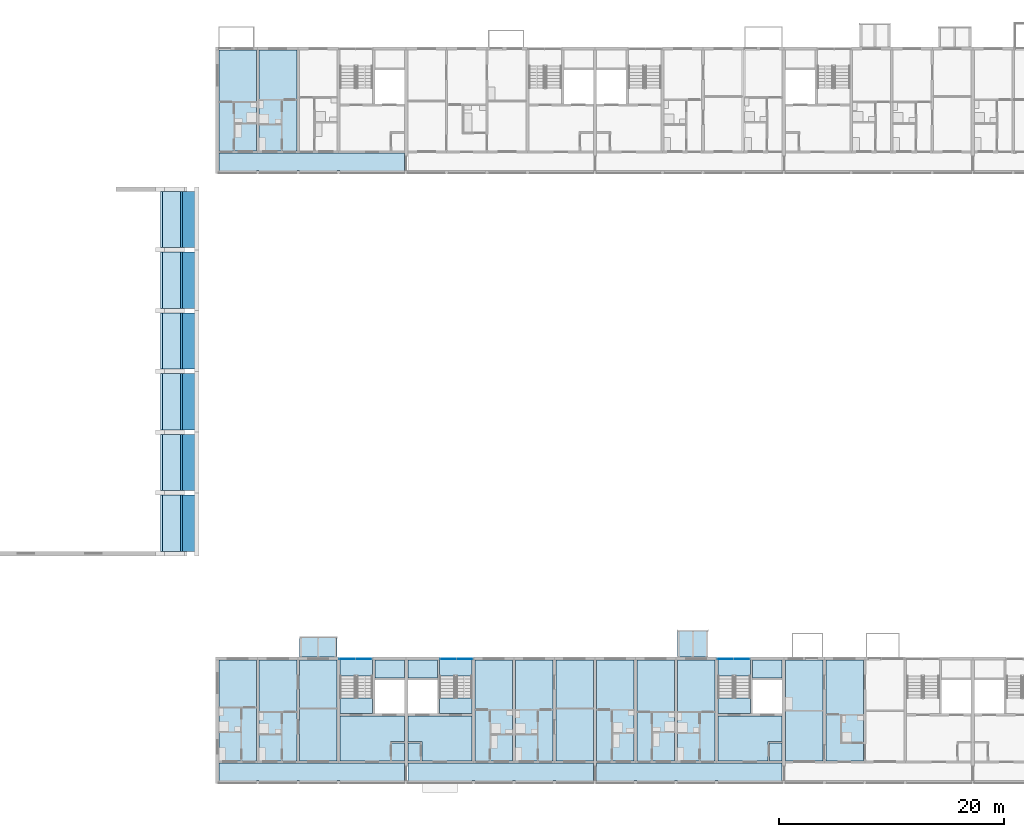
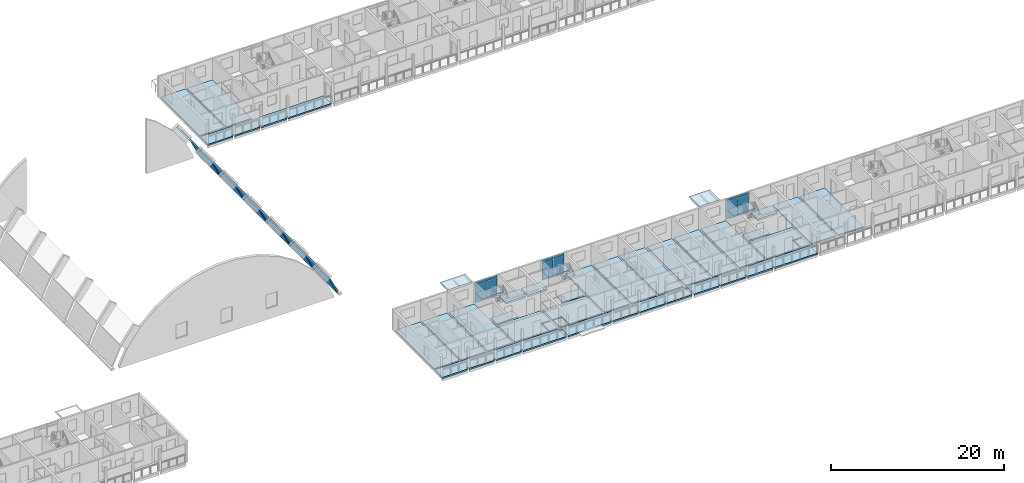
# One storey, part 27 of 100: 46 slabs, 12 plates, 6 elements without a shape of their own.
"""IFC4 building model written with IfcOpenShell, lengths in metres."""

from ifc_helpers import new_model, si_unit, direction, frame, origin, origin_2d, place, context, subcontext, project, spatial, polyline, rectangle, outline, extrude, material, layer, layer_set, type_object, element, aggregate, save


model = new_model("IFC4")

# Units and contexts
model_context = context("Model", 3, precision=1e-05, world=origin(), true_north=direction((0.0, 1.0)))
body_context = subcontext(model_context, "Body", "Model", "MODEL_VIEW")
ifc_project = project(units=[si_unit("LENGTHUNIT", "METRE"), si_unit("AREAUNIT", "SQUARE_METRE"), si_unit("VOLUMEUNIT", "CUBIC_METRE"), si_unit("PLANEANGLEUNIT", "RADIAN"), si_unit("MASSUNIT", "GRAM", prefix="KILO")], contexts=[model_context])

# Site, building, storey
site_placement = place(None, origin())
site = spatial("IfcSite", under=ifc_project, at=site_placement, CompositionType="ELEMENT")
building_placement = place(site_placement, origin())
building = spatial("IfcBuilding", under=site, at=building_placement, Name="Ridgestep Commons", CompositionType="ELEMENT")
storey_placement = place(building_placement, frame((0.0, 0.0, 9.0)))
storey = spatial("IfcBuildingStorey", under=building, at=storey_placement, Name="L03", CompositionType="ELEMENT", Elevation=9.0)

# Slabs
ifc_material_1 = material(Name="Precast concrete C40/50", Category="concrete")
ifc_layer_1 = layer(ifc_material_1, 0.199951171875)
ifc_layer_set_1 = layer_set([ifc_layer_1], Name="Gallery slab 200")
slab_type_1 = type_object("IfcSlabType", Name="Gallery slab 200", PredefinedType="FLOOR", material=ifc_layer_set_1)
slab_1_placement = place(storey_placement, frame((0.0, 0.0, -0.199951171875)))
element("IfcSlab", 1, at=slab_1_placement, inside=storey, type_object=slab_type_1, Name="Gallery slab C1 L03", PredefinedType="FLOOR", context=body_context, shape_type="SweptSolid", body=[
    extrude(outline(polyline([(163.449951171875, 67.800048828125), (146.949951171875, 67.800048828125), (146.949951171875, 66.0), (150.27490234375, 66.0), (150.27490234375, 66.25), (150.52490234375, 66.25), (150.52490234375, 66.0), (153.875, 66.0), (153.875, 66.25), (154.125, 66.25), (154.125, 66.0), (157.47509765625, 66.0), (157.47509765625, 66.25), (157.72509765625, 66.25), (157.72509765625, 66.0), (163.449951171875, 66.0), (163.449951171875, 67.800048828125)])), origin(), (0.0, 0.0, 1.0), 0.199951171875),
])
slab_2_placement = place(storey_placement, frame((0.0, 0.0, -0.199951171875)))
element("IfcSlab", 2, at=slab_2_placement, inside=storey, type_object=slab_type_1, Name="Gallery slab D1 L03", PredefinedType="FLOOR", context=body_context, shape_type="SweptSolid", body=[
    extrude(outline(polyline([(163.449951171875, 13.550048828125), (146.949951171875, 13.550048828125), (146.949951171875, 11.75), (150.27490234375, 11.75), (150.27490234375, 12.0), (150.52490234375, 12.0), (150.52490234375, 11.75), (153.875, 11.75), (153.875, 12.0), (154.125, 12.0), (154.125, 11.75), (157.47509765625, 11.75), (157.47509765625, 12.0), (157.72509765625, 12.0), (157.72509765625, 11.75), (163.449951171875, 11.75), (163.449951171875, 13.550048828125)])), origin(), (0.0, 0.0, 1.0), 0.199951171875),
])
slab_3_placement = place(storey_placement, frame((0.0, 0.0, -0.199951171875)))
element("IfcSlab", 3, at=slab_3_placement, inside=storey, type_object=slab_type_1, Name="Gallery slab D2 L03", PredefinedType="FLOOR", context=body_context, shape_type="SweptSolid", body=[
    extrude(outline(polyline([(180.25, 13.550048828125), (163.75, 13.550048828125), (163.75, 11.75), (169.47509765625, 11.75), (169.47509765625, 12.0), (169.72509765625, 12.0), (169.72509765625, 11.75), (173.074951171875, 11.75), (173.074951171875, 12.0), (173.324951171875, 12.0), (173.324951171875, 11.75), (176.675048828125, 11.75), (176.675048828125, 12.0), (176.925048828125, 12.0), (176.925048828125, 11.75), (180.25, 11.75), (180.25, 13.550048828125)])), origin(), (0.0, 0.0, 1.0), 0.199951171875),
])
slab_4_placement = place(storey_placement, frame((0.0, 0.0, -0.199951171875)))
element("IfcSlab", 4, at=slab_4_placement, inside=storey, type_object=slab_type_1, Name="Gallery slab D3 L03", PredefinedType="FLOOR", context=body_context, shape_type="SweptSolid", body=[
    extrude(outline(polyline([(197.050048828125, 13.550048828125), (180.550048828125, 13.550048828125), (180.550048828125, 11.75), (183.875, 11.75), (183.875, 12.0), (184.125, 12.0), (184.125, 11.75), (187.47509765625, 11.75), (187.47509765625, 12.0), (187.72509765625, 12.0), (187.72509765625, 11.75), (191.074951171875, 11.75), (191.074951171875, 12.0), (191.324951171875, 12.0), (191.324951171875, 11.75), (197.050048828125, 11.75), (197.050048828125, 13.550048828125)])), origin(), (0.0, 0.0, 1.0), 0.199951171875),
])

# Curtain wall, plates
ifc_material_2 = material(Name="Aluminium 6063-T6 and glass", Category="aluminium")
curtain_wall_type = type_object("IfcCurtainWallType", Name="Curtain wall stair strip", PredefinedType="NOTDEFINED", material=ifc_material_2)
curtain_wall_1_placement = place(storey_placement, origin())
curtain_wall_1 = element("IfcCurtainWall", 5, at=curtain_wall_1_placement, inside=storey, type_object=curtain_wall_type, Name="Curtain wall D1C level 03", PredefinedType="NOTDEFINED")
ifc_material_3 = material(Name="Glass laminated 6/16/6 low-emissivity", Category="glass")
ifc_layer_2 = layer(ifc_material_3, 0.028076171875)
ifc_layer_set_2 = layer_set([ifc_layer_2], Name="Glazing panel 28")
plate_type_1 = type_object("IfcPlateType", Name="Glazing panel 28", PredefinedType="CURTAIN_PANEL", material=ifc_layer_set_2)
plate_1_placement = place(storey_placement, frame((158.371337890625, 22.830078125, 0.06005859375), z_axis=(0.0, 0.0, 1.0), x_axis=(1.0, 0.0, 0.0)))
plate_1 = element("IfcPlate", 6, at=plate_1_placement, type_object=plate_type_1, Name="CW1 panel 1.1", PredefinedType="CURTAIN_PANEL", context=body_context, shape_type="SweptSolid", body=[
    extrude(rectangle(XDim=1.422607421875, YDim=0.028076171875, at=origin_2d()), origin(), (0.0, 0.0, 1.0), 2.5),
])
plate_2_placement = place(storey_placement, frame((159.853759765625, 22.830078125, 0.06005859375), z_axis=(0.0, 0.0, 1.0), x_axis=(1.0, 0.0, 0.0)))
plate_2 = element("IfcPlate", 7, at=plate_2_placement, type_object=plate_type_1, Name="CW1 panel 2.1", PredefinedType="CURTAIN_PANEL", context=body_context, shape_type="SweptSolid", body=[
    extrude(rectangle(XDim=1.422607421875, YDim=0.028076171875, at=origin_2d()), origin(), (0.0, 0.0, 1.0), 2.5),
])

curtain_wall_2_placement = place(storey_placement, origin())
curtain_wall_2 = element("IfcCurtainWall", 8, at=curtain_wall_2_placement, inside=storey, type_object=curtain_wall_type, Name="Curtain wall D2C level 03", PredefinedType="NOTDEFINED")
plate_3_placement = place(storey_placement, frame((167.34619140625, 22.830078125, 0.06005859375), z_axis=(0.0, 0.0, 1.0), x_axis=(1.0, 0.0, 0.0)))
plate_3 = element("IfcPlate", 9, at=plate_3_placement, type_object=plate_type_1, Name="CW1 panel 1.1", PredefinedType="CURTAIN_PANEL", context=body_context, shape_type="SweptSolid", body=[
    extrude(rectangle(XDim=1.422607421875, YDim=0.028076171875, at=origin_2d()), origin(), (0.0, 0.0, 1.0), 2.5),
])
plate_4_placement = place(storey_placement, frame((168.828857421875, 22.830078125, 0.06005859375), z_axis=(0.0, 0.0, 1.0), x_axis=(1.0, 0.0, 0.0)))
plate_4 = element("IfcPlate", 10, at=plate_4_placement, type_object=plate_type_1, Name="CW1 panel 2.1", PredefinedType="CURTAIN_PANEL", context=body_context, shape_type="SweptSolid", body=[
    extrude(rectangle(XDim=1.422607421875, YDim=0.028076171875, at=origin_2d()), origin(), (0.0, 0.0, 1.0), 2.5),
])

curtain_wall_3_placement = place(storey_placement, origin())
curtain_wall_3 = element("IfcCurtainWall", 11, at=curtain_wall_3_placement, inside=storey, type_object=curtain_wall_type, Name="Curtain wall D3C level 03", PredefinedType="NOTDEFINED")
plate_5_placement = place(storey_placement, frame((191.97119140625, 22.830078125, 0.06005859375), z_axis=(0.0, 0.0, 1.0), x_axis=(1.0, 0.0, 0.0)))
plate_5 = element("IfcPlate", 12, at=plate_5_placement, type_object=plate_type_1, Name="CW1 panel 1.1", PredefinedType="CURTAIN_PANEL", context=body_context, shape_type="SweptSolid", body=[
    extrude(rectangle(XDim=1.422607421875, YDim=0.028076171875, at=origin_2d()), origin(), (0.0, 0.0, 1.0), 2.5),
])
plate_6_placement = place(storey_placement, frame((193.453857421875, 22.830078125, 0.06005859375), z_axis=(0.0, 0.0, 1.0), x_axis=(1.0, 0.0, 0.0)))
plate_6 = element("IfcPlate", 13, at=plate_6_placement, type_object=plate_type_1, Name="CW1 panel 2.1", PredefinedType="CURTAIN_PANEL", context=body_context, shape_type="SweptSolid", body=[
    extrude(rectangle(XDim=1.422607421875, YDim=0.028076171875, at=origin_2d()), origin(), (0.0, 0.0, 1.0), 2.5),
])

# Slabs
ifc_material_4 = material(Name="Precast concrete C50/60", Category="concrete")
ifc_layer_3 = layer(ifc_material_4, 0.199951171875)
ifc_layer_set_3 = layer_set([ifc_layer_3], Name="Hall roof plank 200")
slab_type_2 = type_object("IfcSlabType", Name="Hall roof plank 200", PredefinedType="ROOF", material=ifc_layer_set_3)
slab_5_placement = place(storey_placement, frame((141.924560546875, 32.39990234375, 5.30029296875), z_axis=(0.806402426746, 0.0, 0.591367166943), x_axis=(0.591367166943, 0.0, -0.806402426746)))
element("IfcSlab", 14, at=slab_5_placement, inside=storey, type_object=slab_type_2, Name="Hall barrel vault panel 11", PredefinedType="ROOF", context=body_context, shape_type="SweptSolid", body=[
    extrude(outline(polyline([(0.0, 0.0), (3.0211705918425382, 0.0), (3.0211705918425382, 5.0), (0.0, 5.0), (0.0, 0.0)])), origin(), (0.0, 0.0, -1.0), 0.199951171875),
])
slab_6_placement = place(storey_placement, frame((143.73046875, 32.39990234375, 2.831787109375), z_axis=(0.903105707043, 0.0, 0.429418306441), x_axis=(0.429418306441, 0.0, -0.903105707043)))
element("IfcSlab", 15, at=slab_6_placement, inside=storey, type_object=slab_type_2, Name="Hall barrel vault panel 12", PredefinedType="ROOF", context=body_context, shape_type="SweptSolid", body=[
    extrude(outline(polyline([(0.0, 0.0), (3.016662626676506, 0.0), (3.016662626676506, 5.0), (0.0, 5.0), (0.0, 0.0)])), origin(), (0.0, 0.0, -1.0), 0.199951171875),
])
slab_7_placement = place(storey_placement, frame((141.924560546875, 37.800048828125, 5.30029296875), z_axis=(0.806402426746, 0.0, 0.591367166943), x_axis=(0.591367166943, 0.0, -0.806402426746)))
element("IfcSlab", 16, at=slab_7_placement, inside=storey, type_object=slab_type_2, Name="Hall barrel vault panel 23", PredefinedType="ROOF", context=body_context, shape_type="SweptSolid", body=[
    extrude(outline(polyline([(0.0, 0.0), (3.0211705918425382, 0.0), (3.0211705918425382, 5.0), (0.0, 5.0), (0.0, 0.0)])), origin(), (0.0, 0.0, -1.0), 0.199951171875),
])
slab_8_placement = place(storey_placement, frame((143.73046875, 37.800048828125, 2.831787109375), z_axis=(0.903105707043, 0.0, 0.429418306441), x_axis=(0.429418306441, 0.0, -0.903105707043)))
element("IfcSlab", 17, at=slab_8_placement, inside=storey, type_object=slab_type_2, Name="Hall barrel vault panel 24", PredefinedType="ROOF", context=body_context, shape_type="SweptSolid", body=[
    extrude(outline(polyline([(0.0, 0.0), (3.016662626676506, 0.0), (3.016662626676506, 5.0), (0.0, 5.0), (0.0, 0.0)])), origin(), (0.0, 0.0, -1.0), 0.199951171875),
])
slab_9_placement = place(storey_placement, frame((141.924560546875, 43.199951171875, 5.30029296875), z_axis=(0.806402426746, 0.0, 0.591367166943), x_axis=(0.591367166943, 0.0, -0.806402426746)))
element("IfcSlab", 18, at=slab_9_placement, inside=storey, type_object=slab_type_2, Name="Hall barrel vault panel 35", PredefinedType="ROOF", context=body_context, shape_type="SweptSolid", body=[
    extrude(outline(polyline([(0.0, 0.0), (3.0211705918425382, 0.0), (3.0211705918425382, 5.0), (0.0, 5.0), (0.0, 0.0)])), origin(), (0.0, 0.0, -1.0), 0.199951171875),
])
slab_10_placement = place(storey_placement, frame((143.73046875, 43.199951171875, 2.831787109375), z_axis=(0.903105707043, 0.0, 0.429418306441), x_axis=(0.429418306441, 0.0, -0.903105707043)))
element("IfcSlab", 19, at=slab_10_placement, inside=storey, type_object=slab_type_2, Name="Hall barrel vault panel 36", PredefinedType="ROOF", context=body_context, shape_type="SweptSolid", body=[
    extrude(outline(polyline([(0.0, 0.0), (3.016662626676506, 0.0), (3.016662626676506, 5.0), (0.0, 5.0), (0.0, 0.0)])), origin(), (0.0, 0.0, -1.0), 0.199951171875),
])
slab_11_placement = place(storey_placement, frame((141.924560546875, 48.60009765625, 5.30029296875), z_axis=(0.806402426746, 0.0, 0.591367166943), x_axis=(0.591367166943, 0.0, -0.806402426746)))
element("IfcSlab", 20, at=slab_11_placement, inside=storey, type_object=slab_type_2, Name="Hall barrel vault panel 47", PredefinedType="ROOF", context=body_context, shape_type="SweptSolid", body=[
    extrude(outline(polyline([(0.0, 0.0), (3.0211705918425382, 0.0), (3.0211705918425382, 5.0), (0.0, 5.0), (0.0, 0.0)])), origin(), (0.0, 0.0, -1.0), 0.199951171875),
])
slab_12_placement = place(storey_placement, frame((143.73046875, 48.60009765625, 2.831787109375), z_axis=(0.903105707043, 0.0, 0.429418306441), x_axis=(0.429418306441, 0.0, -0.903105707043)))
element("IfcSlab", 21, at=slab_12_placement, inside=storey, type_object=slab_type_2, Name="Hall barrel vault panel 48", PredefinedType="ROOF", context=body_context, shape_type="SweptSolid", body=[
    extrude(outline(polyline([(0.0, 0.0), (3.016662626676506, 0.0), (3.016662626676506, 5.0), (0.0, 5.0), (0.0, 0.0)])), origin(), (0.0, 0.0, -1.0), 0.199951171875),
])
slab_13_placement = place(storey_placement, frame((141.924560546875, 54.0, 5.30029296875), z_axis=(0.806402426746, 0.0, 0.591367166943), x_axis=(0.591367166943, 0.0, -0.806402426746)))
element("IfcSlab", 22, at=slab_13_placement, inside=storey, type_object=slab_type_2, Name="Hall barrel vault panel 59", PredefinedType="ROOF", context=body_context, shape_type="SweptSolid", body=[
    extrude(outline(polyline([(0.0, 0.0), (3.0211705918425382, 0.0), (3.0211705918425382, 5.0), (0.0, 5.0), (0.0, 0.0)])), origin(), (0.0, 0.0, -1.0), 0.199951171875),
])
slab_14_placement = place(storey_placement, frame((143.73046875, 54.0, 2.831787109375), z_axis=(0.903105707043, 0.0, 0.429418306441), x_axis=(0.429418306441, 0.0, -0.903105707043)))
element("IfcSlab", 23, at=slab_14_placement, inside=storey, type_object=slab_type_2, Name="Hall barrel vault panel 60", PredefinedType="ROOF", context=body_context, shape_type="SweptSolid", body=[
    extrude(outline(polyline([(0.0, 0.0), (3.016662626676506, 0.0), (3.016662626676506, 5.0), (0.0, 5.0), (0.0, 0.0)])), origin(), (0.0, 0.0, -1.0), 0.199951171875),
])
slab_15_placement = place(storey_placement, frame((141.924560546875, 59.39990234375, 5.30029296875), z_axis=(0.806402426746, 0.0, 0.591367166943), x_axis=(0.591367166943, 0.0, -0.806402426746)))
element("IfcSlab", 24, at=slab_15_placement, inside=storey, type_object=slab_type_2, Name="Hall barrel vault panel 71", PredefinedType="ROOF", context=body_context, shape_type="SweptSolid", body=[
    extrude(outline(polyline([(0.0, 0.0), (3.0211705918425382, 0.0), (3.0211705918425382, 5.0), (0.0, 5.0), (0.0, 0.0)])), origin(), (0.0, 0.0, -1.0), 0.199951171875),
])
slab_16_placement = place(storey_placement, frame((143.73046875, 59.39990234375, 2.831787109375), z_axis=(0.903105707043, 0.0, 0.429418306441), x_axis=(0.429418306441, 0.0, -0.903105707043)))
element("IfcSlab", 25, at=slab_16_placement, inside=storey, type_object=slab_type_2, Name="Hall barrel vault panel 72", PredefinedType="ROOF", context=body_context, shape_type="SweptSolid", body=[
    extrude(outline(polyline([(0.0, 0.0), (3.016662626676506, 0.0), (3.016662626676506, 5.0), (0.0, 5.0), (0.0, 0.0)])), origin(), (0.0, 0.0, -1.0), 0.199951171875),
])
ifc_material_5 = material(Name="Precast concrete C50/60", Category="concrete")
ifc_layer_4 = layer(ifc_material_5, 0.199951171875)
ifc_layer_set_4 = layer_set([ifc_layer_4], Name="Hollow-core plank 200")
slab_type_3 = type_object("IfcSlabType", Name="Hollow-core plank 200", PredefinedType="FLOOR", material=ifc_layer_set_4)
slab_17_placement = place(storey_placement, frame((0.0, 0.0, -0.199951171875)))
element("IfcSlab", 26, at=slab_17_placement, inside=storey, type_object=slab_type_3, Name="Floor plank C1T1 L03", PredefinedType="FLOOR", context=body_context, shape_type="SweptSolid", body=[
    extrude(outline(polyline([(150.300048828125, 68.0), (150.300048828125, 77.0), (146.949951171875, 77.0), (146.949951171875, 68.0), (150.300048828125, 68.0)])), origin(), (0.0, 0.0, 1.0), 0.199951171875),
])
slab_18_placement = place(storey_placement, frame((0.0, 0.0, -0.199951171875)))
element("IfcSlab", 27, at=slab_18_placement, inside=storey, type_object=slab_type_3, Name="Floor plank C1T2 L03", PredefinedType="FLOOR", context=body_context, shape_type="SweptSolid", body=[
    extrude(outline(polyline([(153.89990234375, 68.0), (153.89990234375, 77.0), (150.5, 77.0), (150.5, 68.0), (153.89990234375, 68.0)])), origin(), (0.0, 0.0, 1.0), 0.199951171875),
])
slab_19_placement = place(storey_placement, frame((0.0, 0.0, -0.199951171875)))
element("IfcSlab", 28, at=slab_19_placement, inside=storey, type_object=slab_type_3, Name="Floor plank D1T1 L03", PredefinedType="FLOOR", context=body_context, shape_type="SweptSolid", body=[
    extrude(outline(polyline([(150.300048828125, 13.75), (150.300048828125, 22.75), (146.949951171875, 22.75), (146.949951171875, 13.75), (150.300048828125, 13.75)])), origin(), (0.0, 0.0, 1.0), 0.199951171875),
])
slab_20_placement = place(storey_placement, frame((0.0, 0.0, -0.199951171875)))
element("IfcSlab", 29, at=slab_20_placement, inside=storey, type_object=slab_type_3, Name="Floor plank D1T2 L03", PredefinedType="FLOOR", context=body_context, shape_type="SweptSolid", body=[
    extrude(outline(polyline([(153.875, 13.75), (153.875, 22.75), (150.5, 22.75), (150.5, 13.75), (153.875, 13.75)])), origin(), (0.0, 0.0, 1.0), 0.199951171875),
])
slab_21_placement = place(storey_placement, frame((0.0, 0.0, -0.199951171875)))
element("IfcSlab", 30, at=slab_21_placement, inside=storey, type_object=slab_type_3, Name="Floor plank D1T3 L03", PredefinedType="FLOOR", context=body_context, shape_type="SweptSolid", body=[
    extrude(outline(polyline([(157.47509765625, 13.75), (157.47509765625, 22.75), (154.125, 22.75), (154.125, 13.75), (157.47509765625, 13.75)])), origin(), (0.0, 0.0, 1.0), 0.199951171875),
])
slab_22_placement = place(storey_placement, frame((0.0, 0.0, -0.199951171875)))
element("IfcSlab", 31, at=slab_22_placement, inside=storey, type_object=slab_type_3, Name="Floor plank D2T3 L03", PredefinedType="FLOOR", context=body_context, shape_type="SweptSolid", body=[
    extrude(outline(polyline([(173.074951171875, 13.75), (173.074951171875, 22.75), (169.72509765625, 22.75), (169.72509765625, 13.75), (173.074951171875, 13.75)])), origin(), (0.0, 0.0, 1.0), 0.199951171875),
])
slab_23_placement = place(storey_placement, frame((0.0, 0.0, -0.199951171875)))
element("IfcSlab", 32, at=slab_23_placement, inside=storey, type_object=slab_type_3, Name="Floor plank D2T2 L03", PredefinedType="FLOOR", context=body_context, shape_type="SweptSolid", body=[
    extrude(outline(polyline([(176.675048828125, 13.75), (176.675048828125, 22.75), (173.324951171875, 22.75), (173.324951171875, 13.75), (176.675048828125, 13.75)])), origin(), (0.0, 0.0, 1.0), 0.199951171875),
])
slab_24_placement = place(storey_placement, frame((0.0, 0.0, -0.199951171875)))
element("IfcSlab", 33, at=slab_24_placement, inside=storey, type_object=slab_type_3, Name="Floor plank D2T1 L03", PredefinedType="FLOOR", context=body_context, shape_type="SweptSolid", body=[
    extrude(outline(polyline([(180.25, 13.75), (180.25, 22.75), (176.925048828125, 22.75), (176.925048828125, 13.75), (180.25, 13.75)])), origin(), (0.0, 0.0, 1.0), 0.199951171875),
])
slab_25_placement = place(storey_placement, frame((0.0, 0.0, -0.199951171875)))
element("IfcSlab", 34, at=slab_25_placement, inside=storey, type_object=slab_type_3, Name="Floor plank D3T1 L03", PredefinedType="FLOOR", context=body_context, shape_type="SweptSolid", body=[
    extrude(outline(polyline([(183.875, 13.75), (183.875, 22.75), (180.550048828125, 22.75), (180.550048828125, 13.75), (183.875, 13.75)])), origin(), (0.0, 0.0, 1.0), 0.199951171875),
])
slab_26_placement = place(storey_placement, frame((0.0, 0.0, -0.199951171875)))
element("IfcSlab", 35, at=slab_26_placement, inside=storey, type_object=slab_type_3, Name="Floor plank D3T2 L03", PredefinedType="FLOOR", context=body_context, shape_type="SweptSolid", body=[
    extrude(outline(polyline([(187.47509765625, 13.75), (187.47509765625, 22.75), (184.125, 22.75), (184.125, 13.75), (187.47509765625, 13.75)])), origin(), (0.0, 0.0, 1.0), 0.199951171875),
])
slab_27_placement = place(storey_placement, frame((0.0, 0.0, -0.199951171875)))
element("IfcSlab", 36, at=slab_27_placement, inside=storey, type_object=slab_type_3, Name="Floor plank D3T3 L03", PredefinedType="FLOOR", context=body_context, shape_type="SweptSolid", body=[
    extrude(outline(polyline([(191.074951171875, 13.75), (191.074951171875, 22.75), (187.72509765625, 22.75), (187.72509765625, 13.75), (191.074951171875, 13.75)])), origin(), (0.0, 0.0, 1.0), 0.199951171875),
])
slab_28_placement = place(storey_placement, frame((0.0, 0.0, -0.199951171875)))
element("IfcSlab", 37, at=slab_28_placement, inside=storey, type_object=slab_type_3, Name="Floor plank D4T1 L03", PredefinedType="FLOOR", context=body_context, shape_type="SweptSolid", body=[
    extrude(outline(polyline([(200.675048828125, 13.75), (200.675048828125, 22.75), (197.35009765625, 22.75), (197.35009765625, 13.75), (200.675048828125, 13.75)])), origin(), (0.0, 0.0, 1.0), 0.199951171875),
])
slab_29_placement = place(storey_placement, frame((0.0, 0.0, -0.199951171875)))
element("IfcSlab", 38, at=slab_29_placement, inside=storey, type_object=slab_type_3, Name="Floor plank D4T2 L03", PredefinedType="FLOOR", context=body_context, shape_type="SweptSolid", body=[
    extrude(outline(polyline([(204.27490234375, 13.75), (204.27490234375, 22.75), (200.925048828125, 22.75), (200.925048828125, 13.75), (204.27490234375, 13.75)])), origin(), (0.0, 0.0, 1.0), 0.199951171875),
])
ifc_material_6 = material(Name="Precast concrete C50/60", Category="concrete")
ifc_layer_5 = layer(ifc_material_6, 0.25)
ifc_layer_set_5 = layer_set([ifc_layer_5], Name="Hollow-core plank 250")
slab_type_4 = type_object("IfcSlabType", Name="Hollow-core plank 250", PredefinedType="FLOOR", material=ifc_layer_set_5)
slab_30_placement = place(storey_placement, frame((0.0, 0.0, -0.25)))
element("IfcSlab", 39, at=slab_30_placement, inside=storey, type_object=slab_type_4, Name="Floor plank D1C L03", PredefinedType="FLOOR", context=body_context, shape_type="SweptSolid", body=[
    extrude(outline(polyline([(162.320068359375, 15.469970703125), (163.449951171875, 15.469970703125), (163.449951171875, 17.75), (157.72509765625, 17.75), (157.72509765625, 13.75), (162.199951171875, 13.75), (162.199951171875, 15.469970703125), (162.320068359375, 15.469970703125)])), origin(), (0.0, 0.0, 1.0), 0.25),
])
slab_31_placement = place(storey_placement, frame((0.0, 0.0, -0.25)))
element("IfcSlab", 40, at=slab_31_placement, inside=storey, type_object=slab_type_4, Name="Floor plank D1C L03", PredefinedType="FLOOR", context=body_context, shape_type="SweptSolid", body=[
    extrude(outline(polyline([(163.449951171875, 21.14990234375), (163.449951171875, 22.75), (160.824951171875, 22.75), (160.824951171875, 21.14990234375), (163.449951171875, 21.14990234375)])), origin(), (0.0, 0.0, 1.0), 0.25),
])
slab_32_placement = place(storey_placement, frame((0.0, 0.0, -0.25)))
element("IfcSlab", 41, at=slab_32_placement, inside=storey, type_object=slab_type_4, Name="Floor plank D1C L03", PredefinedType="FLOOR", context=body_context, shape_type="SweptSolid", body=[
    extrude(outline(polyline([(160.625, 17.949951171875), (160.625, 19.35009765625), (157.72509765625, 19.35009765625), (157.72509765625, 17.949951171875), (160.625, 17.949951171875)])), origin(), (0.0, 0.0, 1.0), 0.25),
])
slab_33_placement = place(storey_placement, frame((0.0, 0.0, -0.25)))
element("IfcSlab", 42, at=slab_33_placement, inside=storey, type_object=slab_type_4, Name="Floor plank D1C L03", PredefinedType="FLOOR", context=body_context, shape_type="SweptSolid", body=[
    extrude(outline(polyline([(162.320068359375, 13.75), (163.449951171875, 13.75), (163.449951171875, 15.35009765625), (162.320068359375, 15.35009765625), (162.320068359375, 13.75)])), origin(), (0.0, 0.0, 1.0), 0.25),
])
slab_34_placement = place(storey_placement, frame((0.0, 0.0, -0.25)))
element("IfcSlab", 43, at=slab_34_placement, inside=storey, type_object=slab_type_4, Name="Floor plank D2C L03", PredefinedType="FLOOR", context=body_context, shape_type="SweptSolid", body=[
    extrude(outline(polyline([(165.0, 13.75), (169.47509765625, 13.75), (169.47509765625, 17.75), (163.75, 17.75), (163.75, 15.469970703125), (164.8798828125, 15.469970703125), (165.0, 15.469970703125), (165.0, 13.75)])), origin(), (0.0, 0.0, 1.0), 0.25),
])
slab_35_placement = place(storey_placement, frame((0.0, 0.0, -0.25)))
element("IfcSlab", 44, at=slab_35_placement, inside=storey, type_object=slab_type_4, Name="Floor plank D2C L03", PredefinedType="FLOOR", context=body_context, shape_type="SweptSolid", body=[
    extrude(outline(polyline([(166.375, 22.75), (163.75, 22.75), (163.75, 21.14990234375), (166.375, 21.14990234375), (166.375, 22.75)])), origin(), (0.0, 0.0, 1.0), 0.25),
])
slab_36_placement = place(storey_placement, frame((0.0, 0.0, -0.25)))
element("IfcSlab", 45, at=slab_36_placement, inside=storey, type_object=slab_type_4, Name="Floor plank D2C L03", PredefinedType="FLOOR", context=body_context, shape_type="SweptSolid", body=[
    extrude(outline(polyline([(169.47509765625, 17.949951171875), (169.47509765625, 19.35009765625), (166.574951171875, 19.35009765625), (166.574951171875, 17.949951171875), (169.47509765625, 17.949951171875)])), origin(), (0.0, 0.0, 1.0), 0.25),
])
slab_37_placement = place(storey_placement, frame((0.0, 0.0, -0.25)))
element("IfcSlab", 46, at=slab_37_placement, inside=storey, type_object=slab_type_4, Name="Floor plank D2C L03", PredefinedType="FLOOR", context=body_context, shape_type="SweptSolid", body=[
    extrude(outline(polyline([(164.8798828125, 15.35009765625), (163.75, 15.35009765625), (163.75, 13.75), (164.8798828125, 13.75), (164.8798828125, 15.35009765625)])), origin(), (0.0, 0.0, 1.0), 0.25),
])
slab_38_placement = place(storey_placement, frame((0.0, 0.0, -0.25)))
element("IfcSlab", 47, at=slab_38_placement, inside=storey, type_object=slab_type_4, Name="Floor plank D3C L03", PredefinedType="FLOOR", context=body_context, shape_type="SweptSolid", body=[
    extrude(outline(polyline([(195.919921875, 15.469970703125), (197.050048828125, 15.469970703125), (197.050048828125, 17.75), (191.324951171875, 17.75), (191.324951171875, 13.75), (195.800048828125, 13.75), (195.800048828125, 15.469970703125), (195.919921875, 15.469970703125)])), origin(), (0.0, 0.0, 1.0), 0.25),
])
slab_39_placement = place(storey_placement, frame((0.0, 0.0, -0.25)))
element("IfcSlab", 48, at=slab_39_placement, inside=storey, type_object=slab_type_4, Name="Floor plank D3C L03", PredefinedType="FLOOR", context=body_context, shape_type="SweptSolid", body=[
    extrude(outline(polyline([(197.050048828125, 21.14990234375), (197.050048828125, 22.75), (194.425048828125, 22.75), (194.425048828125, 21.14990234375), (197.050048828125, 21.14990234375)])), origin(), (0.0, 0.0, 1.0), 0.25),
])
slab_40_placement = place(storey_placement, frame((0.0, 0.0, -0.25)))
element("IfcSlab", 49, at=slab_40_placement, inside=storey, type_object=slab_type_4, Name="Floor plank D3C L03", PredefinedType="FLOOR", context=body_context, shape_type="SweptSolid", body=[
    extrude(outline(polyline([(194.22509765625, 17.949951171875), (194.22509765625, 19.35009765625), (191.324951171875, 19.35009765625), (191.324951171875, 17.949951171875), (194.22509765625, 17.949951171875)])), origin(), (0.0, 0.0, 1.0), 0.25),
])
slab_41_placement = place(storey_placement, frame((0.0, 0.0, -0.25)))
element("IfcSlab", 50, at=slab_41_placement, inside=storey, type_object=slab_type_4, Name="Floor plank D3C L03", PredefinedType="FLOOR", context=body_context, shape_type="SweptSolid", body=[
    extrude(outline(polyline([(195.919921875, 13.75), (197.050048828125, 13.75), (197.050048828125, 15.35009765625), (195.919921875, 15.35009765625), (195.919921875, 13.75)])), origin(), (0.0, 0.0, 1.0), 0.25),
])

# Plate
ifc_material_7 = material(Name="Aluminium 6063-T6 and mineral wool", Category="aluminium")
ifc_layer_6 = layer(ifc_material_7, 0.0400390625)
ifc_layer_set_6 = layer_set([ifc_layer_6], Name="Spandrel panel 40")
plate_type_2 = type_object("IfcPlateType", Name="Spandrel panel 40", PredefinedType="CURTAIN_PANEL", material=ifc_layer_set_6)
plate_7_placement = place(storey_placement, frame((158.371337890625, 22.830078125, 2.6201171875), z_axis=(0.0, 0.0, 1.0), x_axis=(1.0, 0.0, 0.0)))
plate_7 = element("IfcPlate", 51, at=plate_7_placement, type_object=plate_type_2, Name="CW1 panel 1.2", PredefinedType="CURTAIN_PANEL", context=body_context, shape_type="SweptSolid", body=[
    extrude(rectangle(XDim=1.422607421875, YDim=0.0400390625, at=origin_2d()), origin(), (0.0, 0.0, 1.0), 0.320068359375),
])

plate_8_placement = place(storey_placement, frame((159.853759765625, 22.830078125, 2.6201171875), z_axis=(0.0, 0.0, 1.0), x_axis=(1.0, 0.0, 0.0)))
plate_8 = element("IfcPlate", 52, at=plate_8_placement, type_object=plate_type_2, Name="CW1 panel 2.2", PredefinedType="CURTAIN_PANEL", context=body_context, shape_type="SweptSolid", body=[
    extrude(rectangle(XDim=1.422607421875, YDim=0.0400390625, at=origin_2d()), origin(), (0.0, 0.0, 1.0), 0.320068359375),
])

aggregate(curtain_wall_1, [plate_1, plate_7, plate_2, plate_8])

plate_9_placement = place(storey_placement, frame((167.34619140625, 22.830078125, 2.6201171875), z_axis=(0.0, 0.0, 1.0), x_axis=(1.0, 0.0, 0.0)))
plate_9 = element("IfcPlate", 53, at=plate_9_placement, type_object=plate_type_2, Name="CW1 panel 1.2", PredefinedType="CURTAIN_PANEL", context=body_context, shape_type="SweptSolid", body=[
    extrude(rectangle(XDim=1.422607421875, YDim=0.0400390625, at=origin_2d()), origin(), (0.0, 0.0, 1.0), 0.320068359375),
])

plate_10_placement = place(storey_placement, frame((168.828857421875, 22.830078125, 2.6201171875), z_axis=(0.0, 0.0, 1.0), x_axis=(1.0, 0.0, 0.0)))
plate_10 = element("IfcPlate", 54, at=plate_10_placement, type_object=plate_type_2, Name="CW1 panel 2.2", PredefinedType="CURTAIN_PANEL", context=body_context, shape_type="SweptSolid", body=[
    extrude(rectangle(XDim=1.422607421875, YDim=0.0400390625, at=origin_2d()), origin(), (0.0, 0.0, 1.0), 0.320068359375),
])

aggregate(curtain_wall_2, [plate_3, plate_9, plate_4, plate_10])

plate_11_placement = place(storey_placement, frame((191.97119140625, 22.830078125, 2.6201171875), z_axis=(0.0, 0.0, 1.0), x_axis=(1.0, 0.0, 0.0)))
plate_11 = element("IfcPlate", 55, at=plate_11_placement, type_object=plate_type_2, Name="CW1 panel 1.2", PredefinedType="CURTAIN_PANEL", context=body_context, shape_type="SweptSolid", body=[
    extrude(rectangle(XDim=1.422607421875, YDim=0.0400390625, at=origin_2d()), origin(), (0.0, 0.0, 1.0), 0.320068359375),
])

plate_12_placement = place(storey_placement, frame((193.453857421875, 22.830078125, 2.6201171875), z_axis=(0.0, 0.0, 1.0), x_axis=(1.0, 0.0, 0.0)))
plate_12 = element("IfcPlate", 56, at=plate_12_placement, type_object=plate_type_2, Name="CW1 panel 2.2", PredefinedType="CURTAIN_PANEL", context=body_context, shape_type="SweptSolid", body=[
    extrude(rectangle(XDim=1.422607421875, YDim=0.0400390625, at=origin_2d()), origin(), (0.0, 0.0, 1.0), 0.320068359375),
])

aggregate(curtain_wall_3, [plate_5, plate_11, plate_6, plate_12])

# Stair, slab
ifc_material_8 = material(Name="Precast concrete C40/50", Category="concrete")
stair_type = type_object("IfcStairType", Name="Escape stair 1400", PredefinedType="HALF_TURN_STAIR", material=ifc_material_8)
stair_1_placement = place(storey_placement, origin())
stair_1 = element("IfcStair", 57, at=stair_1_placement, inside=storey, type_object=stair_type, Name="L03 Escape stair D1C", PredefinedType="HALF_TURN_STAIR")
ifc_material_9 = material(Name="Precast concrete C40/50", Category="concrete")
ifc_layer_7 = layer(ifc_material_9, 0.199951171875)
ifc_layer_set_7 = layer_set([ifc_layer_7], Name="Stair landing 200")
slab_type_5 = type_object("IfcSlabType", Name="Stair landing 200", PredefinedType="LANDING", material=ifc_layer_set_7)
slab_42_placement = place(storey_placement, frame((0.0, 0.0, 1.300048828125)))
slab_42 = element("IfcSlab", 58, at=slab_42_placement, type_object=slab_type_5, Name="D1C landing 1", PredefinedType="LANDING", context=body_context, shape_type="SweptSolid", body=[
    extrude(outline(polyline([(160.625, 21.31005859375), (160.625, 22.75), (157.72509765625, 22.75), (157.72509765625, 21.31005859375), (160.625, 21.31005859375)])), origin(), (0.0, 0.0, 1.0), 0.199951171875),
])
aggregate(stair_1, [slab_42])

stair_2_placement = place(storey_placement, origin())
stair_2 = element("IfcStair", 59, at=stair_2_placement, inside=storey, type_object=stair_type, Name="L03 Escape stair D2C", PredefinedType="HALF_TURN_STAIR")
slab_43_placement = place(storey_placement, frame((0.0, 0.0, 1.300048828125)))
slab_43 = element("IfcSlab", 60, at=slab_43_placement, type_object=slab_type_5, Name="D2C landing 1", PredefinedType="LANDING", context=body_context, shape_type="SweptSolid", body=[
    extrude(outline(polyline([(169.47509765625, 21.31005859375), (169.47509765625, 22.75), (166.574951171875, 22.75), (166.574951171875, 21.31005859375), (169.47509765625, 21.31005859375)])), origin(), (0.0, 0.0, 1.0), 0.199951171875),
])
aggregate(stair_2, [slab_43])

stair_3_placement = place(storey_placement, origin())
stair_3 = element("IfcStair", 61, at=stair_3_placement, inside=storey, type_object=stair_type, Name="L03 Escape stair D3C", PredefinedType="HALF_TURN_STAIR")
slab_44_placement = place(storey_placement, frame((0.0, 0.0, 1.300048828125)))
slab_44 = element("IfcSlab", 62, at=slab_44_placement, type_object=slab_type_5, Name="D3C landing 1", PredefinedType="LANDING", context=body_context, shape_type="SweptSolid", body=[
    extrude(outline(polyline([(194.22509765625, 21.31005859375), (194.22509765625, 22.75), (191.324951171875, 22.75), (191.324951171875, 21.31005859375), (194.22509765625, 21.31005859375)])), origin(), (0.0, 0.0, 1.0), 0.199951171875),
])
aggregate(stair_3, [slab_44])

# Slabs
ifc_material_10 = material(Name="Weathering steel S355J2W", Category="steel")
ifc_layer_8 = layer(ifc_material_10, 0.010009765625)
ifc_layer_set_8 = layer_set([ifc_layer_8], Name="Tray 2.8 x 2.4")
slab_type_6 = type_object("IfcSlabType", Name="Tray 2.8 x 2.4", PredefinedType="FLOOR", material=ifc_layer_set_8)
slab_45_placement = place(storey_placement, frame((0.0, 0.0, 2.989990234375)))
element("IfcSlab", 63, at=slab_45_placement, inside=storey, type_object=slab_type_6, Name="Tray deck D3T3-04", PredefinedType="FLOOR", context=body_context, shape_type="SweptSolid", body=[
    extrude(outline(polyline([(187.72998046875, 23.0), (190.469970703125, 23.0), (190.469970703125, 25.39990234375), (187.72998046875, 25.39990234375), (187.72998046875, 23.0)])), origin(), (0.0, 0.0, 1.0), 0.010009765625),
])
ifc_material_11 = material(Name="Weathering steel S355J2W", Category="steel")
ifc_layer_9 = layer(ifc_material_11, 0.010009765625)
ifc_layer_set_9 = layer_set([ifc_layer_9], Name="Tray 3.4 x 1.8")
slab_type_7 = type_object("IfcSlabType", Name="Tray 3.4 x 1.8", PredefinedType="FLOOR", material=ifc_layer_set_9)
slab_46_placement = place(storey_placement, frame((0.0, 0.0, 2.989990234375)))
element("IfcSlab", 64, at=slab_46_placement, inside=storey, type_object=slab_type_7, Name="Tray deck D1T3-04", PredefinedType="FLOOR", context=body_context, shape_type="SweptSolid", body=[
    extrude(outline(polyline([(154.1298828125, 23.0), (157.469970703125, 23.0), (157.469970703125, 24.800048828125), (154.1298828125, 24.800048828125), (154.1298828125, 23.0)])), origin(), (0.0, 0.0, 1.0), 0.010009765625),
])

save(model, "model.ifc")
